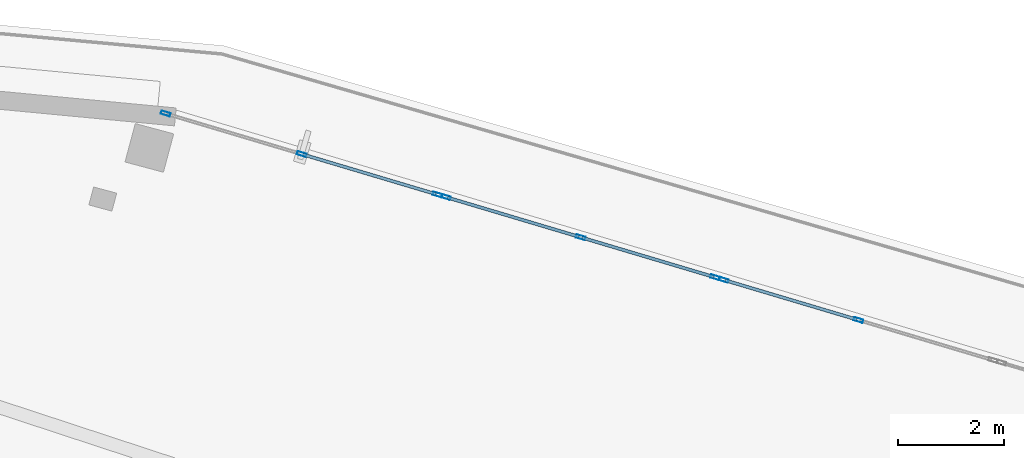
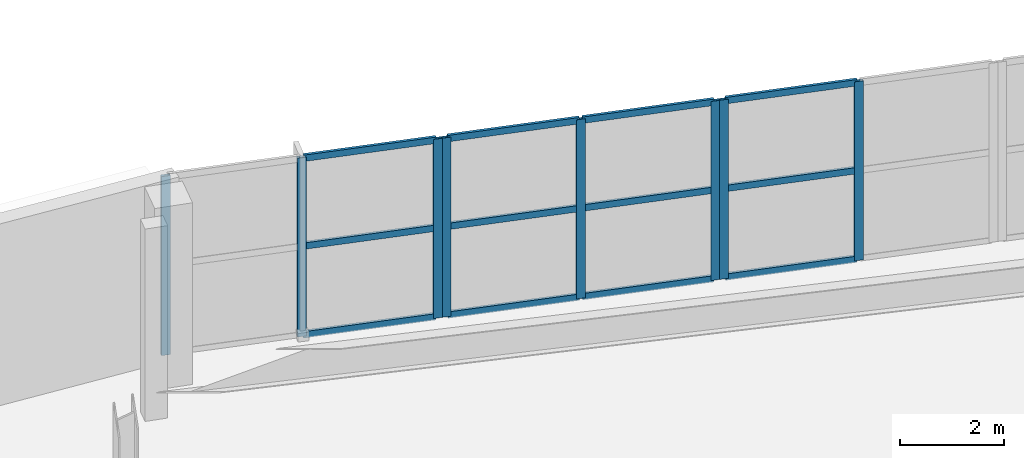
# One storey, part 38 of 107: 20 members, 3 elements without a shape of their own.
"""IFC4 building model written with IfcOpenShell, lengths in metres."""

from ifc_helpers import new_model, si_unit, direction, frame, origin, origin_2d, place, context, subcontext, project, spatial, hollow_rectangle, extrude, material, layer, layer_set, material_profile, profile_set, type_object, element, aggregate, save


model = new_model("IFC4")

# Units and contexts
model_context = context("Model", 3, precision=1e-05, world=origin(), true_north=direction((0.0, 1.0)))
body_context = subcontext(model_context, "Body", "Model", "MODEL_VIEW")
ifc_project = project(units=[si_unit("LENGTHUNIT", "METRE"), si_unit("AREAUNIT", "SQUARE_METRE"), si_unit("VOLUMEUNIT", "CUBIC_METRE"), si_unit("PLANEANGLEUNIT", "RADIAN"), si_unit("MASSUNIT", "GRAM", prefix="KILO")], contexts=[model_context])

# Site, building, storey
site_placement = place(None, origin())
site = spatial("IfcSite", under=ifc_project, at=site_placement, CompositionType="ELEMENT")
building_placement = place(site_placement, origin())
building = spatial("IfcBuilding", under=site, at=building_placement, Name="Kalgoora Escarpment Arena", CompositionType="ELEMENT")
storey_placement = place(building_placement, frame((0.0, 0.0, 5.39990234375)))
storey = spatial("IfcBuildingStorey", under=building, at=storey_placement, Name="L01", CompositionType="ELEMENT", Elevation=5.39990234375)

# Curtain wall, members
ifc_material_1 = material(Name=" Champagne anodised aluminium & double-glazed low-E", Category="aluminium")
ifc_layer_1 = layer(ifc_material_1, 0.154052734375)
ifc_layer_set_1 = layer_set([ifc_layer_1], Name="CW-UNIT-06")
curtain_wall_type_1 = type_object("IfcCurtainWallType", Name="CW-UNIT-06", PredefinedType="NOTDEFINED", material=ifc_layer_set_1)
curtain_wall_1_placement = place(storey_placement, origin())
curtain_wall_1 = element("IfcCurtainWall", 1, at=curtain_wall_1_placement, inside=storey, type_object=curtain_wall_type_1, Name="L01 unitised facade curtain wall 025", PredefinedType="NOTDEFINED")
ifc_material_2 = material(Name="Anodised aluminium 6063-T6", Category="aluminium")
ifc_material_profile_1 = material_profile(ifc_material_2, hollow_rectangle(XDim=0.06494140625, YDim=0.179931640625, WallThickness=0.00390625, at=origin_2d()))
ifc_profile_set_1 = profile_set([ifc_material_profile_1], Name="Anodised aluminium 6063-T6")
member_type_1 = type_object("IfcMemberType", Name="MEM-CW-MULL-180", PredefinedType="MULLION", material=ifc_profile_set_1)
member_1_placement = place(storey_placement, frame((114.9140625, 124.3427734375, 0.02001953125), z_axis=(0.0, 0.0, 1.0), x_axis=(0.285632238979, 0.958339305286, 0.0)))
member_1 = element("IfcMember", 2, at=member_1_placement, type_object=member_type_1, Name="CW-06 mullion 1", PredefinedType="MULLION", context=body_context, shape_type="SweptSolid", body=[
    extrude(hollow_rectangle(XDim=0.06494140625, YDim=0.179931640625, WallThickness=0.00390625, at=origin_2d()), origin(), (0.0, 0.0, 1.0), 4.190185546875),
])
member_2_placement = place(storey_placement, frame((117.48193359375, 123.577392578125, 0.02001953125), z_axis=(0.0, 0.0, 1.0), x_axis=(0.285632238979, 0.958339305286, 0.0)))
member_2 = element("IfcMember", 3, at=member_2_placement, type_object=member_type_1, Name="CW-06 mullion 2", PredefinedType="MULLION", context=body_context, shape_type="SweptSolid", body=[
    extrude(hollow_rectangle(XDim=0.06494140625, YDim=0.179931640625, WallThickness=0.00390625, at=origin_2d()), origin(), (0.0, 0.0, 1.0), 4.190185546875),
])
member_3_placement = place(storey_placement, frame((120.049560546875, 122.81201171875, 0.02001953125), z_axis=(0.0, 0.0, 1.0), x_axis=(0.285632238979, 0.958339305286, 0.0)))
member_3 = element("IfcMember", 4, at=member_3_placement, type_object=member_type_1, Name="CW-06 mullion 3", PredefinedType="MULLION", context=body_context, shape_type="SweptSolid", body=[
    extrude(hollow_rectangle(XDim=0.06494140625, YDim=0.179931640625, WallThickness=0.00390625, at=origin_2d()), origin(), (0.0, 0.0, 1.0), 4.190185546875),
])

ifc_material_3 = material(Name=" Champagne anodised aluminium & double-glazed low-E", Category="aluminium")
ifc_layer_2 = layer(ifc_material_3, 0.157958984375)
ifc_layer_set_2 = layer_set([ifc_layer_2], Name="CW-UNIT-07")
curtain_wall_type_2 = type_object("IfcCurtainWallType", Name="CW-UNIT-07", PredefinedType="NOTDEFINED", material=ifc_layer_set_2)
curtain_wall_2_placement = place(storey_placement, origin())
curtain_wall_2 = element("IfcCurtainWall", 5, at=curtain_wall_2_placement, inside=storey, type_object=curtain_wall_type_2, Name="L01 unitised facade curtain wall 026", PredefinedType="NOTDEFINED")
member_4_placement = place(storey_placement, frame((120.207763671875, 122.76513671875, 0.02001953125), z_axis=(0.0, 0.0, 1.0), x_axis=(0.285628232137, 0.958340499513, 0.0)))
member_4 = element("IfcMember", 6, at=member_4_placement, type_object=member_type_1, Name="CW-07 mullion 1", PredefinedType="MULLION", context=body_context, shape_type="SweptSolid", body=[
    extrude(hollow_rectangle(XDim=0.06494140625, YDim=0.179931640625, WallThickness=0.00390625, at=origin_2d()), origin(), (0.0, 0.0, 1.0), 4.190185546875),
])
member_5_placement = place(storey_placement, frame((122.75146484375, 122.0068359375, 0.02001953125), z_axis=(0.0, 0.0, 1.0), x_axis=(0.285628232137, 0.958340499513, 0.0)))
member_5 = element("IfcMember", 7, at=member_5_placement, type_object=member_type_1, Name="CW-07 mullion 2", PredefinedType="MULLION", context=body_context, shape_type="SweptSolid", body=[
    extrude(hollow_rectangle(XDim=0.06494140625, YDim=0.179931640625, WallThickness=0.00390625, at=origin_2d()), origin(), (0.0, 0.0, 1.0), 4.190185546875),
])
member_6_placement = place(storey_placement, frame((125.29541015625, 121.248779296875, 0.02001953125), z_axis=(0.0, 0.0, 1.0), x_axis=(0.285628232137, 0.958340499513, 0.0)))
member_6 = element("IfcMember", 8, at=member_6_placement, type_object=member_type_1, Name="CW-07 mullion 3", PredefinedType="MULLION", context=body_context, shape_type="SweptSolid", body=[
    extrude(hollow_rectangle(XDim=0.06494140625, YDim=0.179931640625, WallThickness=0.00390625, at=origin_2d()), origin(), (0.0, 0.0, 1.0), 4.190185546875),
])

ifc_material_4 = material(Name=" Champagne anodised aluminium & double-glazed low-E", Category="aluminium")
ifc_layer_3 = layer(ifc_material_4, 0.162109375)
ifc_layer_set_3 = layer_set([ifc_layer_3], Name="CW-UNIT-08")
curtain_wall_type_3 = type_object("IfcCurtainWallType", Name="CW-UNIT-08", PredefinedType="NOTDEFINED", material=ifc_layer_set_3)
curtain_wall_3_placement = place(storey_placement, origin())
curtain_wall_3 = element("IfcCurtainWall", 9, at=curtain_wall_3_placement, inside=storey, type_object=curtain_wall_type_3, Name="L01 unitised facade curtain wall 027", PredefinedType="NOTDEFINED")
member_7_placement = place(storey_placement, frame((125.453369140625, 121.201416015625, 0.02001953125), z_axis=(0.0, 0.0, 1.0), x_axis=(0.28563332603, 0.958338981291, 0.0)))
member_7 = element("IfcMember", 10, at=member_7_placement, type_object=member_type_1, Name="CW-08 mullion 1", PredefinedType="MULLION", context=body_context, shape_type="SweptSolid", body=[
    extrude(hollow_rectangle(XDim=0.06494140625, YDim=0.179931640625, WallThickness=0.00390625, at=origin_2d()), origin(), (0.0, 0.0, 1.0), 4.190185546875),
])
member_8_placement = place(storey_placement, frame((127.997314453125, 120.443359375, 0.02001953125), z_axis=(0.0, 0.0, 1.0), x_axis=(0.28563332603, 0.958338981291, 0.0)))
member_8 = element("IfcMember", 11, at=member_8_placement, type_object=member_type_1, Name="CW-08 mullion 2", PredefinedType="MULLION", context=body_context, shape_type="SweptSolid", body=[
    extrude(hollow_rectangle(XDim=0.06494140625, YDim=0.179931640625, WallThickness=0.00390625, at=origin_2d()), origin(), (0.0, 0.0, 1.0), 4.190185546875),
])

# Member
ifc_material_5 = material(Name="Anodised aluminium 6063-T6", Category="aluminium")
ifc_material_profile_2 = material_profile(ifc_material_5, hollow_rectangle(XDim=0.06005859375, YDim=0.14990234375, WallThickness=0.00341796875, at=origin_2d()))
ifc_profile_set_2 = profile_set([ifc_material_profile_2], Name="Anodised aluminium 6063-T6")
member_type_2 = type_object("IfcMemberType", Name="MEM-CW-TRAN-150", PredefinedType="USERDEFINED", material=ifc_profile_set_2)
member_9_placement = place(storey_placement, frame((117.512939453125, 123.568115234375, 0.050048828125), z_axis=(0.958336204211, -0.285642643348, 0.0), x_axis=(0.285642643348, 0.958336204211, 0.0)))
member_9 = element("IfcMember", 12, at=member_9_placement, type_object=member_type_2, Name="CW-06 transom 2.1", ObjectType="TRANSOM", PredefinedType="USERDEFINED", context=body_context, shape_type="SweptSolid", body=[
    extrude(hollow_rectangle(XDim=0.06005859375, YDim=0.14990234375, WallThickness=0.00341796875, at=origin_2d()), origin(), (0.0, 0.0, 1.0), 2.614501953125),
])

member_10_placement = place(storey_placement, frame((117.512939453125, 123.568115234375, 2.125), z_axis=(0.958336204211, -0.285642643348, 0.0), x_axis=(0.285642643348, 0.958336204211, 0.0)))
member_10 = element("IfcMember", 13, at=member_10_placement, type_object=member_type_2, Name="CW-06 transom 2.2", ObjectType="TRANSOM", PredefinedType="USERDEFINED", context=body_context, shape_type="SweptSolid", body=[
    extrude(hollow_rectangle(XDim=0.06005859375, YDim=0.14990234375, WallThickness=0.00341796875, at=origin_2d()), origin(), (0.0, 0.0, 1.0), 2.614501953125),
])

member_11_placement = place(storey_placement, frame((117.512939453125, 123.568115234375, 4.18017578125), z_axis=(0.958336204211, -0.285642643348, 0.0), x_axis=(0.285642643348, 0.958336204211, 0.0)))
member_11 = element("IfcMember", 14, at=member_11_placement, type_object=member_type_2, Name="CW-06 transom 2.3", ObjectType="TRANSOM", PredefinedType="USERDEFINED", context=body_context, shape_type="SweptSolid", body=[
    extrude(hollow_rectangle(XDim=0.06005859375, YDim=0.14990234375, WallThickness=0.00341796875, at=origin_2d()), origin(), (0.0, 0.0, 1.0), 2.614501953125),
])

aggregate(curtain_wall_1, [member_1, member_2, member_3, member_9, member_10, member_11])

member_12_placement = place(storey_placement, frame((120.239013671875, 122.755615234375, 0.050048828125), z_axis=(0.958348901137, -0.285600041474, 0.0), x_axis=(0.285600041474, 0.958348901137, 0.0)))
member_12 = element("IfcMember", 15, at=member_12_placement, type_object=member_type_2, Name="CW-07 transom 1.1", ObjectType="TRANSOM", PredefinedType="USERDEFINED", context=body_context, shape_type="SweptSolid", body=[
    extrude(hollow_rectangle(XDim=0.06005859375, YDim=0.14990234375, WallThickness=0.00341796875, at=origin_2d()), origin(), (0.0, 0.0, 1.0), 2.58935546875),
])

member_13_placement = place(storey_placement, frame((120.239013671875, 122.755615234375, 2.125), z_axis=(0.958348901137, -0.285600041474, 0.0), x_axis=(0.285600041474, 0.958348901137, 0.0)))
member_13 = element("IfcMember", 16, at=member_13_placement, type_object=member_type_2, Name="CW-07 transom 1.2", ObjectType="TRANSOM", PredefinedType="USERDEFINED", context=body_context, shape_type="SweptSolid", body=[
    extrude(hollow_rectangle(XDim=0.06005859375, YDim=0.14990234375, WallThickness=0.00341796875, at=origin_2d()), origin(), (0.0, 0.0, 1.0), 2.58935546875),
])

member_14_placement = place(storey_placement, frame((120.239013671875, 122.755615234375, 4.18017578125), z_axis=(0.958348901137, -0.285600041474, 0.0), x_axis=(0.285600041474, 0.958348901137, 0.0)))
member_14 = element("IfcMember", 17, at=member_14_placement, type_object=member_type_2, Name="CW-07 transom 1.3", ObjectType="TRANSOM", PredefinedType="USERDEFINED", context=body_context, shape_type="SweptSolid", body=[
    extrude(hollow_rectangle(XDim=0.06005859375, YDim=0.14990234375, WallThickness=0.00341796875, at=origin_2d()), origin(), (0.0, 0.0, 1.0), 2.58935546875),
])

member_15_placement = place(storey_placement, frame((122.78271484375, 121.99755859375, 0.050048828125), z_axis=(0.958348901137, -0.285600041474, 0.0), x_axis=(0.285600041474, 0.958348901137, 0.0)))
member_15 = element("IfcMember", 18, at=member_15_placement, type_object=member_type_2, Name="CW-07 transom 2.1", ObjectType="TRANSOM", PredefinedType="USERDEFINED", context=body_context, shape_type="SweptSolid", body=[
    extrude(hollow_rectangle(XDim=0.06005859375, YDim=0.14990234375, WallThickness=0.00341796875, at=origin_2d()), origin(), (0.0, 0.0, 1.0), 2.58935546875),
])

member_16_placement = place(storey_placement, frame((122.78271484375, 121.99755859375, 2.125), z_axis=(0.958348901137, -0.285600041474, 0.0), x_axis=(0.285600041474, 0.958348901137, 0.0)))
member_16 = element("IfcMember", 19, at=member_16_placement, type_object=member_type_2, Name="CW-07 transom 2.2", ObjectType="TRANSOM", PredefinedType="USERDEFINED", context=body_context, shape_type="SweptSolid", body=[
    extrude(hollow_rectangle(XDim=0.06005859375, YDim=0.14990234375, WallThickness=0.00341796875, at=origin_2d()), origin(), (0.0, 0.0, 1.0), 2.58935546875),
])

member_17_placement = place(storey_placement, frame((122.78271484375, 121.99755859375, 4.18017578125), z_axis=(0.958348901137, -0.285600041474, 0.0), x_axis=(0.285600041474, 0.958348901137, 0.0)))
member_17 = element("IfcMember", 20, at=member_17_placement, type_object=member_type_2, Name="CW-07 transom 2.3", ObjectType="TRANSOM", PredefinedType="USERDEFINED", context=body_context, shape_type="SweptSolid", body=[
    extrude(hollow_rectangle(XDim=0.06005859375, YDim=0.14990234375, WallThickness=0.00341796875, at=origin_2d()), origin(), (0.0, 0.0, 1.0), 2.58935546875),
])

aggregate(curtain_wall_2, [member_4, member_5, member_6, member_12, member_13, member_14, member_15, member_16, member_17])

member_18_placement = place(storey_placement, frame((125.484619140625, 121.192138671875, 0.050048828125), z_axis=(0.958348901137, -0.285600041474, 0.0), x_axis=(0.285600041474, 0.958348901137, 0.0)))
member_18 = element("IfcMember", 21, at=member_18_placement, type_object=member_type_2, Name="CW-08 transom 1.1", ObjectType="TRANSOM", PredefinedType="USERDEFINED", context=body_context, shape_type="SweptSolid", body=[
    extrude(hollow_rectangle(XDim=0.06005859375, YDim=0.14990234375, WallThickness=0.00341796875, at=origin_2d()), origin(), (0.0, 0.0, 1.0), 2.58935546875),
])

member_19_placement = place(storey_placement, frame((125.484619140625, 121.192138671875, 2.125), z_axis=(0.958348901137, -0.285600041474, 0.0), x_axis=(0.285600041474, 0.958348901137, 0.0)))
member_19 = element("IfcMember", 22, at=member_19_placement, type_object=member_type_2, Name="CW-08 transom 1.2", ObjectType="TRANSOM", PredefinedType="USERDEFINED", context=body_context, shape_type="SweptSolid", body=[
    extrude(hollow_rectangle(XDim=0.06005859375, YDim=0.14990234375, WallThickness=0.00341796875, at=origin_2d()), origin(), (0.0, 0.0, 1.0), 2.58935546875),
])

member_20_placement = place(storey_placement, frame((125.484619140625, 121.192138671875, 4.18017578125), z_axis=(0.958348901137, -0.285600041474, 0.0), x_axis=(0.285600041474, 0.958348901137, 0.0)))
member_20 = element("IfcMember", 23, at=member_20_placement, type_object=member_type_2, Name="CW-08 transom 1.3", ObjectType="TRANSOM", PredefinedType="USERDEFINED", context=body_context, shape_type="SweptSolid", body=[
    extrude(hollow_rectangle(XDim=0.06005859375, YDim=0.14990234375, WallThickness=0.00341796875, at=origin_2d()), origin(), (0.0, 0.0, 1.0), 2.58935546875),
])

aggregate(curtain_wall_3, [member_7, member_8, member_18, member_19, member_20])

save(model, "model.ifc")
